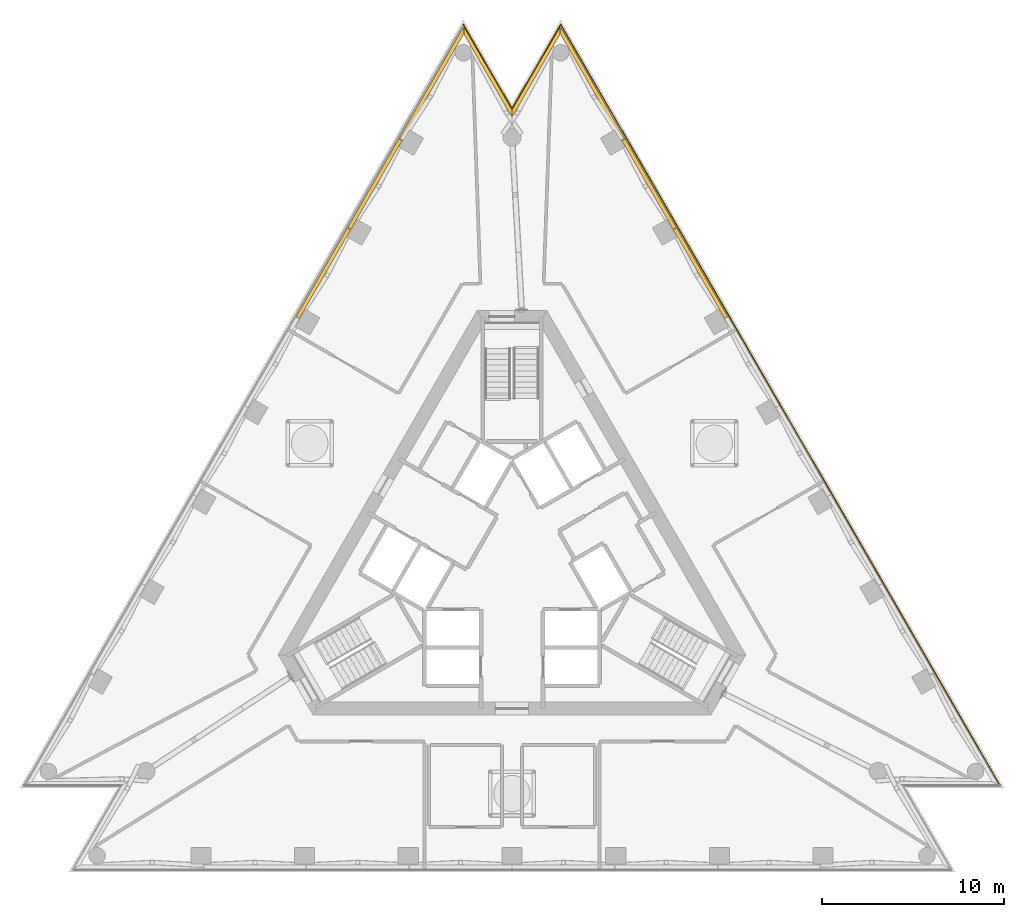
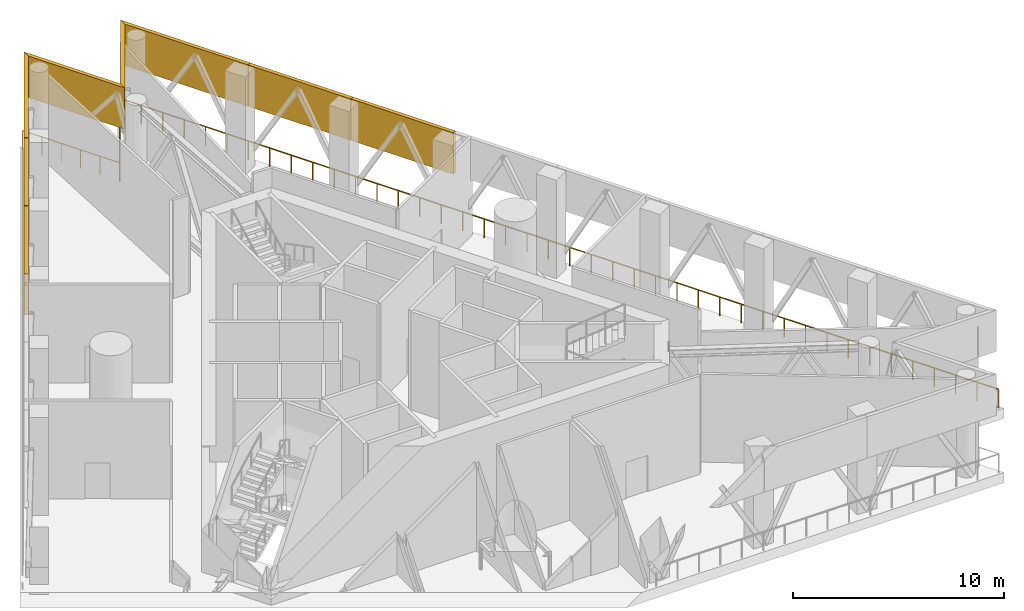
# One storey, part 14 of 15: 8 shading devices, 3 railings.
"""IFC4 building model written with IfcOpenShell, lengths in metres."""

from ifc_helpers import new_model, si_unit, direction, frame, origin, origin_2d, place, context, subcontext, project, spatial, polyline, circle, outline, extrude, material, layer, layer_set, type_object, element, save


model = new_model("IFC4")

# Units and contexts
model_context = context("Model", 3, precision=1e-05, world=origin(), true_north=direction((0.0, 1.0)))
body_context = subcontext(model_context, "Body", "Model", "MODEL_VIEW")
ifc_project = project(units=[si_unit("LENGTHUNIT", "METRE"), si_unit("AREAUNIT", "SQUARE_METRE"), si_unit("VOLUMEUNIT", "CUBIC_METRE"), si_unit("PLANEANGLEUNIT", "RADIAN"), si_unit("MASSUNIT", "GRAM", prefix="KILO")], contexts=[model_context])

# Site, building, storey
site_placement = place(None, origin())
site = spatial("IfcSite", under=ifc_project, at=site_placement, CompositionType="ELEMENT")
building_placement = place(site_placement, origin())
building = spatial("IfcBuilding", under=site, at=building_placement, Name="Triada Interchange Tower", CompositionType="ELEMENT")
storey_placement = place(building_placement, frame((0.0, 0.0, 255.800048828125)))
storey = spatial("IfcBuildingStorey", under=building, at=storey_placement, Name="L60", CompositionType="ELEMENT", Elevation=255.800048828125)

# Railings
ifc_material_1 = material(Name="Stainless steel 1.4301", Category="steel")
railing_type = type_object("IfcRailingType", Name="Slot edge guard 1100", PredefinedType="GUARDRAIL", material=ifc_material_1)
railing_1_placement = place(storey_placement, frame((26.763916015625, -12.35302734375, 0.0)))
element("IfcRailing", 1, at=railing_1_placement, inside=storey, type_object=railing_type, Name="Slot edge guard NE", PredefinedType="GUARDRAIL", context=body_context, shape_type="SweptSolid", body=[
    extrude(circle(Radius=0.02392578125, at=origin_2d()), frame((0.0, 0.0, 1.076171875), z_axis=(-0.499996249506, 0.866027569122, 0.0), x_axis=(-0.866027569122, -0.499996249506, 0.0)), (0.0, 0.0, 1.0), 48.190185546875),
    extrude(circle(Radius=0.02099609375, at=origin_2d()), origin(), (0.0, 0.0, 1.0), 1.052001953125),
    extrude(circle(Radius=0.02099609375, at=origin_2d()), frame((-0.587646484375, 1.017822265625, 0.0)), (0.0, 0.0, 1.0), 1.052001953125),
    extrude(circle(Radius=0.02099609375, at=origin_2d()), frame((-1.17529296875, 2.035888671875, 0.0)), (0.0, 0.0, 1.0), 1.052001953125),
    extrude(circle(Radius=0.02099609375, at=origin_2d()), frame((-1.762939453125, 3.0537109375, 0.0)), (0.0, 0.0, 1.0), 1.052001953125),
    extrude(circle(Radius=0.02099609375, at=origin_2d()), frame((-2.350830078125, 4.071533203125, 0.0)), (0.0, 0.0, 1.0), 1.052001953125),
    extrude(circle(Radius=0.02099609375, at=origin_2d()), frame((-2.9384765625, 5.089599609375, 0.0)), (0.0, 0.0, 1.0), 1.052001953125),
    extrude(circle(Radius=0.02099609375, at=origin_2d()), frame((-3.526123046875, 6.107421875, 0.0)), (0.0, 0.0, 1.0), 1.052001953125),
    extrude(circle(Radius=0.02099609375, at=origin_2d()), frame((-4.11376953125, 7.125244140625, 0.0)), (0.0, 0.0, 1.0), 1.052001953125),
    extrude(circle(Radius=0.02099609375, at=origin_2d()), frame((-4.701416015625, 8.143310546875, 0.0)), (0.0, 0.0, 1.0), 1.052001953125),
    extrude(circle(Radius=0.02099609375, at=origin_2d()), frame((-5.2890625, 9.1611328125, 0.0)), (0.0, 0.0, 1.0), 1.052001953125),
    extrude(circle(Radius=0.02099609375, at=origin_2d()), frame((-5.876708984375, 10.178955078125, 0.0)), (0.0, 0.0, 1.0), 1.052001953125),
    extrude(circle(Radius=0.02099609375, at=origin_2d()), frame((-6.464599609375, 11.197021484375, 0.0)), (0.0, 0.0, 1.0), 1.052001953125),
    extrude(circle(Radius=0.02099609375, at=origin_2d()), frame((-7.05224609375, 12.21484375, 0.0)), (0.0, 0.0, 1.0), 1.052001953125),
    extrude(circle(Radius=0.02099609375, at=origin_2d()), frame((-7.639892578125, 13.232666015625, 0.0)), (0.0, 0.0, 1.0), 1.052001953125),
    extrude(circle(Radius=0.02099609375, at=origin_2d()), frame((-8.2275390625, 14.250732421875, 0.0)), (0.0, 0.0, 1.0), 1.052001953125),
    extrude(circle(Radius=0.02099609375, at=origin_2d()), frame((-8.815185546875, 15.2685546875, 0.0)), (0.0, 0.0, 1.0), 1.052001953125),
    extrude(circle(Radius=0.02099609375, at=origin_2d()), frame((-9.40283203125, 16.286376953125, 0.0)), (0.0, 0.0, 1.0), 1.052001953125),
    extrude(circle(Radius=0.02099609375, at=origin_2d()), frame((-9.990478515625, 17.304443359375, 0.0)), (0.0, 0.0, 1.0), 1.052001953125),
    extrude(circle(Radius=0.02099609375, at=origin_2d()), frame((-10.578369140625, 18.322265625, 0.0)), (0.0, 0.0, 1.0), 1.052001953125),
    extrude(circle(Radius=0.02099609375, at=origin_2d()), frame((-11.166015625, 19.340087890625, 0.0)), (0.0, 0.0, 1.0), 1.052001953125),
    extrude(circle(Radius=0.02099609375, at=origin_2d()), frame((-11.753662109375, 20.358154296875, 0.0)), (0.0, 0.0, 1.0), 1.052001953125),
    extrude(circle(Radius=0.02099609375, at=origin_2d()), frame((-12.34130859375, 21.3759765625, 0.0)), (0.0, 0.0, 1.0), 1.052001953125),
    extrude(circle(Radius=0.02099609375, at=origin_2d()), frame((-12.928955078125, 22.39404296875, 0.0)), (0.0, 0.0, 1.0), 1.052001953125),
    extrude(circle(Radius=0.02099609375, at=origin_2d()), frame((-13.5166015625, 23.411865234375, 0.0)), (0.0, 0.0, 1.0), 1.052001953125),
    extrude(circle(Radius=0.02099609375, at=origin_2d()), frame((-14.1044921875, 24.4296875, 0.0)), (0.0, 0.0, 1.0), 1.052001953125),
    extrude(circle(Radius=0.02099609375, at=origin_2d()), frame((-14.692138671875, 25.44775390625, 0.0)), (0.0, 0.0, 1.0), 1.052001953125),
    extrude(circle(Radius=0.02099609375, at=origin_2d()), frame((-15.27978515625, 26.465576171875, 0.0)), (0.0, 0.0, 1.0), 1.052001953125),
    extrude(circle(Radius=0.02099609375, at=origin_2d()), frame((-15.867431640625, 27.4833984375, 0.0)), (0.0, 0.0, 1.0), 1.052001953125),
    extrude(circle(Radius=0.02099609375, at=origin_2d()), frame((-16.455078125, 28.50146484375, 0.0)), (0.0, 0.0, 1.0), 1.052001953125),
    extrude(circle(Radius=0.02099609375, at=origin_2d()), frame((-17.042724609375, 29.519287109375, 0.0)), (0.0, 0.0, 1.0), 1.052001953125),
    extrude(circle(Radius=0.02099609375, at=origin_2d()), frame((-17.63037109375, 30.537109375, 0.0)), (0.0, 0.0, 1.0), 1.052001953125),
    extrude(circle(Radius=0.02099609375, at=origin_2d()), frame((-18.21826171875, 31.55517578125, 0.0)), (0.0, 0.0, 1.0), 1.052001953125),
    extrude(circle(Radius=0.02099609375, at=origin_2d()), frame((-18.805908203125, 32.572998046875, 0.0)), (0.0, 0.0, 1.0), 1.052001953125),
    extrude(circle(Radius=0.02099609375, at=origin_2d()), frame((-19.3935546875, 33.5908203125, 0.0)), (0.0, 0.0, 1.0), 1.052001953125),
    extrude(circle(Radius=0.02099609375, at=origin_2d()), frame((-19.981201171875, 34.60888671875, 0.0)), (0.0, 0.0, 1.0), 1.052001953125),
    extrude(circle(Radius=0.02099609375, at=origin_2d()), frame((-20.56884765625, 35.626708984375, 0.0)), (0.0, 0.0, 1.0), 1.052001953125),
    extrude(circle(Radius=0.02099609375, at=origin_2d()), frame((-21.156494140625, 36.64453125, 0.0)), (0.0, 0.0, 1.0), 1.052001953125),
    extrude(circle(Radius=0.02099609375, at=origin_2d()), frame((-21.744140625, 37.66259765625, 0.0)), (0.0, 0.0, 1.0), 1.052001953125),
    extrude(circle(Radius=0.02099609375, at=origin_2d()), frame((-22.33203125, 38.680419921875, 0.0)), (0.0, 0.0, 1.0), 1.052001953125),
    extrude(circle(Radius=0.02099609375, at=origin_2d()), frame((-22.919677734375, 39.6982421875, 0.0)), (0.0, 0.0, 1.0), 1.052001953125),
    extrude(circle(Radius=0.02099609375, at=origin_2d()), frame((-23.50732421875, 40.71630859375, 0.0)), (0.0, 0.0, 1.0), 1.052001953125),
    extrude(circle(Radius=0.02099609375, at=origin_2d()), frame((-24.094970703125, 41.734130859375, 0.0)), (0.0, 0.0, 1.0), 1.052001953125),
])
railing_2_placement = place(storey_placement, frame((2.654052734375, 29.35498046875, 0.0)))
element("IfcRailing", 2, at=railing_2_placement, inside=storey, type_object=railing_type, Name="Slot edge guard N-1", PredefinedType="GUARDRAIL", context=body_context, shape_type="SweptSolid", body=[
    extrude(circle(Radius=0.02392578125, at=origin_2d()), frame((0.0, 0.0, 1.076171875), z_axis=(-0.500002476143, -0.866023974178, 0.0), x_axis=(0.866023974178, -0.500002476143, 0.0)), (0.0, 0.0, 1.0), 5.30810546875),
    extrude(circle(Radius=0.02099609375, at=origin_2d()), origin(), (0.0, 0.0, 1.0), 1.052001953125),
    extrude(circle(Radius=0.02099609375, at=origin_2d()), frame((-0.53076171875, -0.91943359375, 0.0)), (0.0, 0.0, 1.0), 1.052001953125),
    extrude(circle(Radius=0.02099609375, at=origin_2d()), frame((-1.0615234375, -1.8388671875, 0.0)), (0.0, 0.0, 1.0), 1.052001953125),
    extrude(circle(Radius=0.02099609375, at=origin_2d()), frame((-1.592529296875, -2.758056640625, 0.0)), (0.0, 0.0, 1.0), 1.052001953125),
    extrude(circle(Radius=0.02099609375, at=origin_2d()), frame((-2.123291015625, -3.677490234375, 0.0)), (0.0, 0.0, 1.0), 1.052001953125),
    extrude(circle(Radius=0.02099609375, at=origin_2d()), frame((-2.654052734375, -4.596923828125, 0.0)), (0.0, 0.0, 1.0), 1.052001953125),
])
railing_3_placement = place(storey_placement, frame((-0.014892578125, 24.783935546875, 0.0)))
element("IfcRailing", 3, at=railing_3_placement, inside=storey, type_object=railing_type, Name="Slot edge guard N-2", PredefinedType="GUARDRAIL", context=body_context, shape_type="SweptSolid", body=[
    extrude(circle(Radius=0.02392578125, at=origin_2d()), frame((0.0, 0.0, 1.076171875), z_axis=(-0.499982560684, 0.866035472144, 0.0), x_axis=(-0.866035472144, -0.499982560684, 0.0)), (0.0, 0.0, 1.0), 5.308349609375),
    extrude(circle(Radius=0.02099609375, at=origin_2d()), origin(), (0.0, 0.0, 1.0), 1.052001953125),
    extrude(circle(Radius=0.02099609375, at=origin_2d()), frame((-0.53076171875, 0.91943359375, 0.0)), (0.0, 0.0, 1.0), 1.052001953125),
    extrude(circle(Radius=0.02099609375, at=origin_2d()), frame((-1.0615234375, 1.8388671875, 0.0)), (0.0, 0.0, 1.0), 1.052001953125),
    extrude(circle(Radius=0.02099609375, at=origin_2d()), frame((-1.592529296875, 2.75830078125, 0.0)), (0.0, 0.0, 1.0), 1.052001953125),
    extrude(circle(Radius=0.02099609375, at=origin_2d()), frame((-2.123291015625, 3.677734375, 0.0)), (0.0, 0.0, 1.0), 1.052001953125),
    extrude(circle(Radius=0.02099609375, at=origin_2d()), frame((-2.654052734375, 4.59716796875, 0.0)), (0.0, 0.0, 1.0), 1.052001953125),
])

# Shading devices
ifc_material_2 = material(Name="Aluminium louvre", Category="aluminium")
ifc_layer = layer(ifc_material_2, 0.199951171875)
ifc_layer_set = layer_set([ifc_layer], Name="Slot louvre fascia")
shading_device_type = type_object("IfcShadingDeviceType", Name="Slot louvre fascia", PredefinedType="JALOUSIE", material=ifc_layer_set)
shading_device_1_placement = place(storey_placement, frame((0.0, 0.0, 3.300048828125)))
element("IfcShadingDevice", 4, at=shading_device_1_placement, inside=storey, type_object=shading_device_type, Name="Slot louvre fascia 01", PredefinedType="JALOUSIE", context=body_context, shape_type="SweptSolid", body=[
    extrude(outline(polyline([(-2.65087890625, 29.259033203125), (-2.65087890625, 28.85888671875), (-6.02294921875, 23.01904296875), (-6.196044921875, 23.118896484375), (-2.65087890625, 29.259033203125)])), origin(), (0.0, 0.0, 1.0), 2.39990234375),
])
shading_device_2_placement = place(storey_placement, frame((0.0, 0.0, 3.300048828125)))
element("IfcShadingDevice", 5, at=shading_device_2_placement, inside=storey, type_object=shading_device_type, Name="Slot louvre fascia 02", PredefinedType="JALOUSIE", context=body_context, shape_type="SweptSolid", body=[
    extrude(outline(polyline([(-6.2060546875, 23.10205078125), (-6.032958984375, 23.001953125), (-8.842041015625, 18.136962890625), (-9.014892578125, 18.237060546875), (-6.2060546875, 23.10205078125)])), origin(), (0.0, 0.0, 1.0), 2.39990234375),
])
shading_device_3_placement = place(storey_placement, frame((0.0, 0.0, 3.300048828125)))
element("IfcShadingDevice", 6, at=shading_device_3_placement, inside=storey, type_object=shading_device_type, Name="Slot louvre fascia 03", PredefinedType="JALOUSIE", context=body_context, shape_type="SweptSolid", body=[
    extrude(outline(polyline([(-9.02490234375, 18.218994140625), (-8.85205078125, 18.118896484375), (-11.660888671875, 13.25390625), (-11.833984375, 13.35400390625), (-9.02490234375, 18.218994140625)])), origin(), (0.0, 0.0, 1.0), 2.39990234375),
])
shading_device_4_placement = place(storey_placement, frame((0.0, 0.0, 3.300048828125)))
element("IfcShadingDevice", 7, at=shading_device_4_placement, inside=storey, type_object=shading_device_type, Name="Slot louvre fascia 26", PredefinedType="JALOUSIE", context=body_context, shape_type="SweptSolid", body=[
    extrude(outline(polyline([(11.833984375, 13.35400390625), (11.660888671875, 13.25390625), (8.85205078125, 18.118896484375), (9.02490234375, 18.218994140625), (11.833984375, 13.35400390625)])), origin(), (0.0, 0.0, 1.0), 2.39990234375),
])
shading_device_5_placement = place(storey_placement, frame((0.0, 0.0, 3.300048828125)))
element("IfcShadingDevice", 8, at=shading_device_5_placement, inside=storey, type_object=shading_device_type, Name="Slot louvre fascia 27", PredefinedType="JALOUSIE", context=body_context, shape_type="SweptSolid", body=[
    extrude(outline(polyline([(9.014892578125, 18.237060546875), (8.842041015625, 18.136962890625), (6.032958984375, 23.001953125), (6.2060546875, 23.10205078125), (9.014892578125, 18.237060546875)])), origin(), (0.0, 0.0, 1.0), 2.39990234375),
])
shading_device_6_placement = place(storey_placement, frame((0.0, 0.0, 3.300048828125)))
element("IfcShadingDevice", 9, at=shading_device_6_placement, inside=storey, type_object=shading_device_type, Name="Slot louvre fascia 28", PredefinedType="JALOUSIE", context=body_context, shape_type="SweptSolid", body=[
    extrude(outline(polyline([(6.196044921875, 23.118896484375), (6.02294921875, 23.01904296875), (2.65087890625, 28.85888671875), (2.65087890625, 29.259033203125), (6.196044921875, 23.118896484375)])), origin(), (0.0, 0.0, 1.0), 2.39990234375),
])
shading_device_7_placement = place(storey_placement, frame((0.0, 0.0, 3.300048828125)))
element("IfcShadingDevice", 10, at=shading_device_7_placement, inside=storey, type_object=shading_device_type, Name="Slot louvre fascia 29", PredefinedType="JALOUSIE", context=body_context, shape_type="SweptSolid", body=[
    extrude(outline(polyline([(2.64111328125, 29.259033203125), (2.64111328125, 28.85888671875), (0.0048828125, 24.2939453125), (0.0048828125, 24.694091796875), (2.64111328125, 29.259033203125)])), origin(), (0.0, 0.0, 1.0), 2.39990234375),
])
shading_device_8_placement = place(storey_placement, frame((0.0, 0.0, 3.300048828125)))
element("IfcShadingDevice", 11, at=shading_device_8_placement, inside=storey, type_object=shading_device_type, Name="Slot louvre fascia 30", PredefinedType="JALOUSIE", context=body_context, shape_type="SweptSolid", body=[
    extrude(outline(polyline([(-0.0048828125, 24.694091796875), (-0.0048828125, 24.2939453125), (-2.64111328125, 28.85888671875), (-2.64111328125, 29.259033203125), (-0.0048828125, 24.694091796875)])), origin(), (0.0, 0.0, 1.0), 2.39990234375),
])

save(model, "model.ifc")
